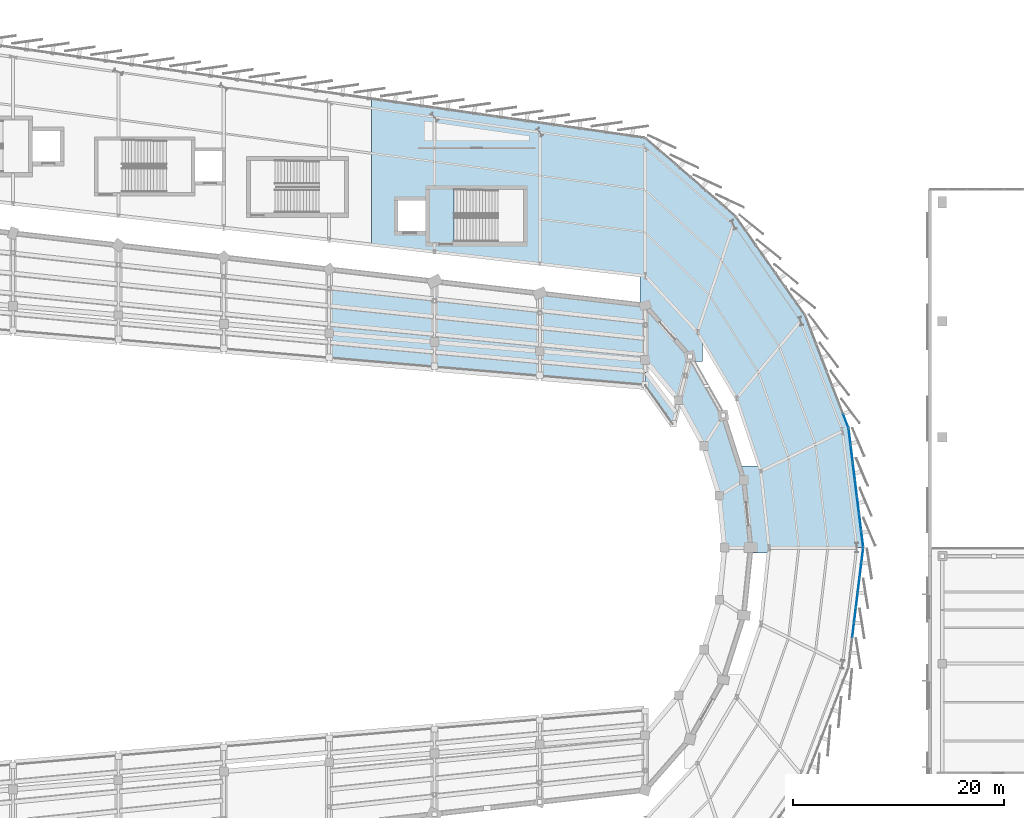
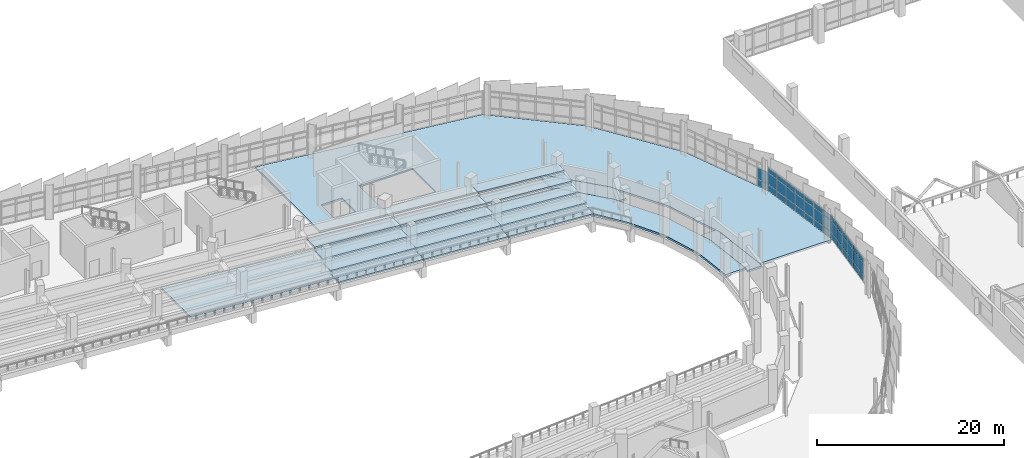
# One storey, part 90 of 120: 41 plates, 18 slabs, 3 elements without a shape of their own.
"""IFC4 building model written with IfcOpenShell, lengths in metres."""

from ifc_helpers import new_model, si_unit, direction, frame, origin, origin_2d, place, context, subcontext, project, spatial, polyline, rectangle, outline, extrude, material, layer, layer_set, type_object, element, aggregate, save


model = new_model("IFC4")

# Units and contexts
model_context = context("Model", 3, precision=1e-05, world=origin(), true_north=direction((0.0, 1.0)))
body_context = subcontext(model_context, "Body", "Model", "MODEL_VIEW")
ifc_project = project(units=[si_unit("LENGTHUNIT", "METRE"), si_unit("AREAUNIT", "SQUARE_METRE"), si_unit("VOLUMEUNIT", "CUBIC_METRE"), si_unit("PLANEANGLEUNIT", "RADIAN"), si_unit("MASSUNIT", "GRAM", prefix="KILO")], contexts=[model_context])

# Site, building, storey
site_placement = place(None, origin())
site = spatial("IfcSite", under=ifc_project, at=site_placement, CompositionType="ELEMENT")
building_placement = place(site_placement, origin())
building = spatial("IfcBuilding", under=site, at=building_placement, Name="Sohan Crest Arena", CompositionType="ELEMENT")
storey_placement = place(building_placement, frame((0.0, 0.0, 13.5)))
storey = spatial("IfcBuildingStorey", under=building, at=storey_placement, Name="L03", CompositionType="ELEMENT", Elevation=13.5)

# Curtain wall, plates
ifc_material_1 = material(Name="Thermally broken anodised aluminium", Category="aluminium")
ifc_layer_1 = layer(ifc_material_1, 0.179931640625, Name="Thermally broken anodised aluminium")
ifc_layer_set_1 = layer_set([ifc_layer_1], Name="Thermally broken anodised aluminium")
curtain_wall_type_1 = type_object("IfcCurtainWallType", Name="ARC-CW01", PredefinedType="NOTDEFINED", material=ifc_layer_set_1)
curtain_wall_1_placement = place(storey_placement, origin())
curtain_wall_1 = element("IfcCurtainWall", 1, at=curtain_wall_1_placement, inside=storey, type_object=curtain_wall_type_1, Name="Unitised curtain wall CW-102", PredefinedType="NOTDEFINED")
ifc_material_2 = material(Name="Low-E double-glazed insulated glass", Category="glass")
ifc_layer_2 = layer(ifc_material_2, 0.028076171875, Name="Low-E double-glazed insulated glass")
ifc_layer_set_2 = layer_set([ifc_layer_2], Name="Low-E double-glazed insulated glass")
plate_type_1 = type_object("IfcPlateType", Name="ARC-CNP01", PredefinedType="CURTAIN_PANEL", material=ifc_layer_set_2)
plate_1_placement = place(storey_placement, frame((187.044189453125, 90.035400390625, 0.06005859375), z_axis=(0.0, 0.0, 1.0), x_axis=(-0.35865103722, 0.93347171007, 0.0)))
plate_1 = element("IfcPlate", 2, at=plate_1_placement, type_object=plate_type_1, Name="CW-102 panel 1.1", PredefinedType="CURTAIN_PANEL", context=body_context, shape_type="SweptSolid", body=[
    extrude(rectangle(XDim=1.340087890625, YDim=0.028076171875, at=origin_2d()), origin(), (0.0, 0.0, 1.0), 0.81005859375),
])
plate_2_placement = place(storey_placement, frame((187.044189453125, 90.035400390625, 0.929931640625), z_axis=(0.0, 0.0, 1.0), x_axis=(-0.35865103722, 0.93347171007, 0.0)))
plate_2 = element("IfcPlate", 3, at=plate_2_placement, type_object=plate_type_1, Name="CW-102 panel 1.2", PredefinedType="CURTAIN_PANEL", context=body_context, shape_type="SweptSolid", body=[
    extrude(rectangle(XDim=1.340087890625, YDim=0.028076171875, at=origin_2d()), origin(), (0.0, 0.0, 1.0), 1.4599609375),
])
aggregate(curtain_wall_1, [plate_1, plate_2])

ifc_layer_3 = layer(ifc_material_1, 0.18994140625, Name="Thermally broken anodised aluminium")
ifc_layer_set_3 = layer_set([ifc_layer_3], Name="Thermally broken anodised aluminium")
curtain_wall_type_2 = type_object("IfcCurtainWallType", Name="ARC-CW05", PredefinedType="NOTDEFINED", material=ifc_layer_set_3)
curtain_wall_2_placement = place(storey_placement, origin())
curtain_wall_2 = element("IfcCurtainWall", 4, at=curtain_wall_2_placement, inside=storey, type_object=curtain_wall_type_2, Name="Unitised curtain wall CW-100", PredefinedType="NOTDEFINED")
ifc_material_3 = material(Name="Ceramic-fritted solar-control insulated glass", Category="glass")
ifc_layer_4 = layer(ifc_material_3, 0.035888671875, Name="Ceramic-fritted solar-control insulated glass")
ifc_layer_set_4 = layer_set([ifc_layer_4], Name="Ceramic-fritted solar-control insulated glass")
plate_type_2 = type_object("IfcPlateType", Name="ARC-CNP03", PredefinedType="CURTAIN_PANEL", material=ifc_layer_set_4)
plate_3_placement = place(storey_placement, frame((187.741943359375, 70.194091796875, 0.06494140625), z_axis=(0.0, 0.0, 1.0), x_axis=(0.121947202838, 0.992536588605, 0.0)))
plate_3 = element("IfcPlate", 5, at=plate_3_placement, type_object=plate_type_2, Name="CW-100 panel 3.1", PredefinedType="CURTAIN_PANEL", context=body_context, shape_type="SweptSolid", body=[
    extrude(rectangle(XDim=1.35986328125, YDim=0.035888671875, at=origin_2d()), origin(), (0.0, 0.0, 1.0), 0.802490234375),
])
plate_4_placement = place(storey_placement, frame((187.741943359375, 70.194091796875, 0.932373046875), z_axis=(0.0, 0.0, 1.0), x_axis=(0.121947202838, 0.992536588605, 0.0)))
plate_4 = element("IfcPlate", 6, at=plate_4_placement, type_object=plate_type_2, Name="CW-100 panel 3.2", PredefinedType="CURTAIN_PANEL", context=body_context, shape_type="SweptSolid", body=[
    extrude(rectangle(XDim=1.35986328125, YDim=0.035888671875, at=origin_2d()), origin(), (0.0, 0.0, 1.0), 1.455078125),
])
plate_5_placement = place(storey_placement, frame((187.741943359375, 70.194091796875, 2.452392578125), z_axis=(0.0, 0.0, 1.0), x_axis=(0.121947202838, 0.992536588605, 0.0)))
plate_5 = element("IfcPlate", 7, at=plate_5_placement, type_object=plate_type_2, Name="CW-100 panel 3.3", PredefinedType="CURTAIN_PANEL", context=body_context, shape_type="SweptSolid", body=[
    extrude(rectangle(XDim=1.35986328125, YDim=0.035888671875, at=origin_2d()), origin(), (0.0, 0.0, 1.0), 0.6025390625),
])
plate_6_placement = place(storey_placement, frame((187.916259765625, 71.61328125, 0.06494140625), z_axis=(0.0, 0.0, 1.0), x_axis=(0.121947202838, 0.992536588605, 0.0)))
plate_6 = element("IfcPlate", 8, at=plate_6_placement, type_object=plate_type_2, Name="CW-100 panel 4.1", PredefinedType="CURTAIN_PANEL", context=body_context, shape_type="SweptSolid", body=[
    extrude(rectangle(XDim=1.35986328125, YDim=0.035888671875, at=origin_2d()), origin(), (0.0, 0.0, 1.0), 0.802490234375),
])
plate_7_placement = place(storey_placement, frame((187.916259765625, 71.61328125, 0.932373046875), z_axis=(0.0, 0.0, 1.0), x_axis=(0.121947202838, 0.992536588605, 0.0)))
plate_7 = element("IfcPlate", 9, at=plate_7_placement, type_object=plate_type_2, Name="CW-100 panel 4.2", PredefinedType="CURTAIN_PANEL", context=body_context, shape_type="SweptSolid", body=[
    extrude(rectangle(XDim=1.35986328125, YDim=0.035888671875, at=origin_2d()), origin(), (0.0, 0.0, 1.0), 1.455078125),
])
plate_8_placement = place(storey_placement, frame((187.916259765625, 71.61328125, 2.452392578125), z_axis=(0.0, 0.0, 1.0), x_axis=(0.121947202838, 0.992536588605, 0.0)))
plate_8 = element("IfcPlate", 10, at=plate_8_placement, type_object=plate_type_2, Name="CW-100 panel 4.3", PredefinedType="CURTAIN_PANEL", context=body_context, shape_type="SweptSolid", body=[
    extrude(rectangle(XDim=1.35986328125, YDim=0.035888671875, at=origin_2d()), origin(), (0.0, 0.0, 1.0), 0.6025390625),
])
plate_9_placement = place(storey_placement, frame((188.090576171875, 73.03271484375, 0.06494140625), z_axis=(0.0, 0.0, 1.0), x_axis=(0.121947202838, 0.992536588605, 0.0)))
plate_9 = element("IfcPlate", 11, at=plate_9_placement, type_object=plate_type_2, Name="CW-100 panel 5.1", PredefinedType="CURTAIN_PANEL", context=body_context, shape_type="SweptSolid", body=[
    extrude(rectangle(XDim=1.35986328125, YDim=0.035888671875, at=origin_2d()), origin(), (0.0, 0.0, 1.0), 0.802490234375),
])
plate_10_placement = place(storey_placement, frame((188.090576171875, 73.03271484375, 0.932373046875), z_axis=(0.0, 0.0, 1.0), x_axis=(0.121947202838, 0.992536588605, 0.0)))
plate_10 = element("IfcPlate", 12, at=plate_10_placement, type_object=plate_type_2, Name="CW-100 panel 5.2", PredefinedType="CURTAIN_PANEL", context=body_context, shape_type="SweptSolid", body=[
    extrude(rectangle(XDim=1.35986328125, YDim=0.035888671875, at=origin_2d()), origin(), (0.0, 0.0, 1.0), 1.455078125),
])
plate_11_placement = place(storey_placement, frame((188.090576171875, 73.03271484375, 2.452392578125), z_axis=(0.0, 0.0, 1.0), x_axis=(0.121947202838, 0.992536588605, 0.0)))
plate_11 = element("IfcPlate", 13, at=plate_11_placement, type_object=plate_type_2, Name="CW-100 panel 5.3", PredefinedType="CURTAIN_PANEL", context=body_context, shape_type="SweptSolid", body=[
    extrude(rectangle(XDim=1.35986328125, YDim=0.035888671875, at=origin_2d()), origin(), (0.0, 0.0, 1.0), 0.6025390625),
])
plate_12_placement = place(storey_placement, frame((188.26513671875, 74.451904296875, 0.06494140625), z_axis=(0.0, 0.0, 1.0), x_axis=(0.121947202838, 0.992536588605, 0.0)))
plate_12 = element("IfcPlate", 14, at=plate_12_placement, type_object=plate_type_2, Name="CW-100 panel 6.1", PredefinedType="CURTAIN_PANEL", context=body_context, shape_type="SweptSolid", body=[
    extrude(rectangle(XDim=1.35986328125, YDim=0.035888671875, at=origin_2d()), origin(), (0.0, 0.0, 1.0), 0.802490234375),
])
plate_13_placement = place(storey_placement, frame((188.26513671875, 74.451904296875, 0.932373046875), z_axis=(0.0, 0.0, 1.0), x_axis=(0.121947202838, 0.992536588605, 0.0)))
plate_13 = element("IfcPlate", 15, at=plate_13_placement, type_object=plate_type_2, Name="CW-100 panel 6.2", PredefinedType="CURTAIN_PANEL", context=body_context, shape_type="SweptSolid", body=[
    extrude(rectangle(XDim=1.35986328125, YDim=0.035888671875, at=origin_2d()), origin(), (0.0, 0.0, 1.0), 1.455078125),
])
plate_14_placement = place(storey_placement, frame((188.26513671875, 74.451904296875, 2.452392578125), z_axis=(0.0, 0.0, 1.0), x_axis=(0.121947202838, 0.992536588605, 0.0)))
plate_14 = element("IfcPlate", 16, at=plate_14_placement, type_object=plate_type_2, Name="CW-100 panel 6.3", PredefinedType="CURTAIN_PANEL", context=body_context, shape_type="SweptSolid", body=[
    extrude(rectangle(XDim=1.35986328125, YDim=0.035888671875, at=origin_2d()), origin(), (0.0, 0.0, 1.0), 0.6025390625),
])
plate_15_placement = place(storey_placement, frame((188.439453125, 75.87109375, 0.06494140625), z_axis=(0.0, 0.0, 1.0), x_axis=(0.121947202838, 0.992536588605, 0.0)))
plate_15 = element("IfcPlate", 17, at=plate_15_placement, type_object=plate_type_2, Name="CW-100 panel 7.1", PredefinedType="CURTAIN_PANEL", context=body_context, shape_type="SweptSolid", body=[
    extrude(rectangle(XDim=1.35986328125, YDim=0.035888671875, at=origin_2d()), origin(), (0.0, 0.0, 1.0), 0.802490234375),
])
plate_16_placement = place(storey_placement, frame((188.439453125, 75.87109375, 0.932373046875), z_axis=(0.0, 0.0, 1.0), x_axis=(0.121947202838, 0.992536588605, 0.0)))
plate_16 = element("IfcPlate", 18, at=plate_16_placement, type_object=plate_type_2, Name="CW-100 panel 7.2", PredefinedType="CURTAIN_PANEL", context=body_context, shape_type="SweptSolid", body=[
    extrude(rectangle(XDim=1.35986328125, YDim=0.035888671875, at=origin_2d()), origin(), (0.0, 0.0, 1.0), 1.455078125),
])
plate_17_placement = place(storey_placement, frame((188.439453125, 75.87109375, 2.452392578125), z_axis=(0.0, 0.0, 1.0), x_axis=(0.121947202838, 0.992536588605, 0.0)))
plate_17 = element("IfcPlate", 19, at=plate_17_placement, type_object=plate_type_2, Name="CW-100 panel 7.3", PredefinedType="CURTAIN_PANEL", context=body_context, shape_type="SweptSolid", body=[
    extrude(rectangle(XDim=1.35986328125, YDim=0.035888671875, at=origin_2d()), origin(), (0.0, 0.0, 1.0), 0.6025390625),
])
plate_18_placement = place(storey_placement, frame((188.611572265625, 77.27294921875, 0.06494140625), z_axis=(0.0, 0.0, 1.0), x_axis=(0.121947202838, 0.992536588605, 0.0)))
plate_18 = element("IfcPlate", 20, at=plate_18_placement, type_object=plate_type_2, Name="CW-100 panel 8.1", PredefinedType="CURTAIN_PANEL", context=body_context, shape_type="SweptSolid", body=[
    extrude(rectangle(XDim=1.324951171875, YDim=0.035888671875, at=origin_2d()), origin(), (0.0, 0.0, 1.0), 0.802490234375),
])
plate_19_placement = place(storey_placement, frame((188.611572265625, 77.27294921875, 0.932373046875), z_axis=(0.0, 0.0, 1.0), x_axis=(0.121947202838, 0.992536588605, 0.0)))
plate_19 = element("IfcPlate", 21, at=plate_19_placement, type_object=plate_type_2, Name="CW-100 panel 8.2", PredefinedType="CURTAIN_PANEL", context=body_context, shape_type="SweptSolid", body=[
    extrude(rectangle(XDim=1.324951171875, YDim=0.035888671875, at=origin_2d()), origin(), (0.0, 0.0, 1.0), 1.455078125),
])
plate_20_placement = place(storey_placement, frame((188.611572265625, 77.27294921875, 2.452392578125), z_axis=(0.0, 0.0, 1.0), x_axis=(0.121947202838, 0.992536588605, 0.0)))
plate_20 = element("IfcPlate", 22, at=plate_20_placement, type_object=plate_type_2, Name="CW-100 panel 8.3", PredefinedType="CURTAIN_PANEL", context=body_context, shape_type="SweptSolid", body=[
    extrude(rectangle(XDim=1.324951171875, YDim=0.035888671875, at=origin_2d()), origin(), (0.0, 0.0, 1.0), 0.6025390625),
])
aggregate(curtain_wall_2, [plate_3, plate_4, plate_5, plate_6, plate_7, plate_8, plate_9, plate_10, plate_11, plate_12, plate_13, plate_14, plate_15, plate_16, plate_17, plate_18, plate_19, plate_20])

ifc_layer_5 = layer(ifc_material_1, 0.2099609375, Name="Thermally broken anodised aluminium")
ifc_layer_set_5 = layer_set([ifc_layer_5], Name="Thermally broken anodised aluminium")
curtain_wall_type_3 = type_object("IfcCurtainWallType", Name="ARC-CW06", PredefinedType="NOTDEFINED", material=ifc_layer_set_5)
curtain_wall_3_placement = place(storey_placement, origin())
curtain_wall_3 = element("IfcCurtainWall", 23, at=curtain_wall_3_placement, inside=storey, type_object=curtain_wall_type_3, Name="Unitised curtain wall CW-101", PredefinedType="NOTDEFINED")
ifc_material_4 = material(Name="Insulated polychrome ceramic spandrel panel", Category="masonry")
ifc_layer_6 = layer(ifc_material_4, 0.0419921875, Name="Insulated polychrome ceramic spandrel panel")
ifc_layer_set_6 = layer_set([ifc_layer_6], Name="Insulated polychrome ceramic spandrel panel")
plate_type_3 = type_object("IfcPlateType", Name="ARC-CNP04", PredefinedType="CURTAIN_PANEL", material=ifc_layer_set_6)
plate_21_placement = place(storey_placement, frame((188.59912109375, 78.82958984375, 0.070068359375), z_axis=(0.0, 0.0, 1.0), x_axis=(-0.121947202838, 0.992536588605, 0.0)))
plate_21 = element("IfcPlate", 24, at=plate_21_placement, type_object=plate_type_3, Name="CW-101 panel 1.1", PredefinedType="CURTAIN_PANEL", context=body_context, shape_type="SweptSolid", body=[
    extrude(rectangle(XDim=1.521728515625, YDim=0.0419921875, at=origin_2d()), origin(), (0.0, 0.0, 1.0), 0.794921875),
])
plate_22_placement = place(storey_placement, frame((188.59912109375, 78.82958984375, 0.93505859375), z_axis=(0.0, 0.0, 1.0), x_axis=(-0.121947202838, 0.992536588605, 0.0)))
plate_22 = element("IfcPlate", 25, at=plate_22_placement, type_object=plate_type_3, Name="CW-101 panel 1.2", PredefinedType="CURTAIN_PANEL", context=body_context, shape_type="SweptSolid", body=[
    extrude(rectangle(XDim=1.521728515625, YDim=0.0419921875, at=origin_2d()), origin(), (0.0, 0.0, 1.0), 1.449951171875),
])
plate_23_placement = place(storey_placement, frame((188.59912109375, 78.82958984375, 2.455078125), z_axis=(0.0, 0.0, 1.0), x_axis=(-0.121947202838, 0.992536588605, 0.0)))
plate_23 = element("IfcPlate", 26, at=plate_23_placement, type_object=plate_type_3, Name="CW-101 panel 1.3", PredefinedType="CURTAIN_PANEL", context=body_context, shape_type="SweptSolid", body=[
    extrude(rectangle(XDim=1.521728515625, YDim=0.0419921875, at=origin_2d()), origin(), (0.0, 0.0, 1.0), 0.594970703125),
])
plate_24_placement = place(storey_placement, frame((188.402099609375, 80.43310546875, 0.070068359375), z_axis=(0.0, 0.0, 1.0), x_axis=(-0.121947202838, 0.992536588605, 0.0)))
plate_24 = element("IfcPlate", 27, at=plate_24_placement, type_object=plate_type_3, Name="CW-101 panel 2.1", PredefinedType="CURTAIN_PANEL", context=body_context, shape_type="SweptSolid", body=[
    extrude(rectangle(XDim=1.55908203125, YDim=0.0419921875, at=origin_2d()), origin(), (0.0, 0.0, 1.0), 0.794921875),
])
plate_25_placement = place(storey_placement, frame((188.402099609375, 80.43310546875, 0.93505859375), z_axis=(0.0, 0.0, 1.0), x_axis=(-0.121947202838, 0.992536588605, 0.0)))
plate_25 = element("IfcPlate", 28, at=plate_25_placement, type_object=plate_type_3, Name="CW-101 panel 2.2", PredefinedType="CURTAIN_PANEL", context=body_context, shape_type="SweptSolid", body=[
    extrude(rectangle(XDim=1.55908203125, YDim=0.0419921875, at=origin_2d()), origin(), (0.0, 0.0, 1.0), 1.449951171875),
])
plate_26_placement = place(storey_placement, frame((188.402099609375, 80.43310546875, 2.455078125), z_axis=(0.0, 0.0, 1.0), x_axis=(-0.121947202838, 0.992536588605, 0.0)))
plate_26 = element("IfcPlate", 29, at=plate_26_placement, type_object=plate_type_3, Name="CW-101 panel 2.3", PredefinedType="CURTAIN_PANEL", context=body_context, shape_type="SweptSolid", body=[
    extrude(rectangle(XDim=1.55908203125, YDim=0.0419921875, at=origin_2d()), origin(), (0.0, 0.0, 1.0), 0.594970703125),
])
plate_27_placement = place(storey_placement, frame((188.202880859375, 82.054931640625, 0.070068359375), z_axis=(0.0, 0.0, 1.0), x_axis=(-0.121947202838, 0.992536588605, 0.0)))
plate_27 = element("IfcPlate", 30, at=plate_27_placement, type_object=plate_type_3, Name="CW-101 panel 3.1", PredefinedType="CURTAIN_PANEL", context=body_context, shape_type="SweptSolid", body=[
    extrude(rectangle(XDim=1.55908203125, YDim=0.0419921875, at=origin_2d()), origin(), (0.0, 0.0, 1.0), 0.794921875),
])
plate_28_placement = place(storey_placement, frame((188.202880859375, 82.054931640625, 0.93505859375), z_axis=(0.0, 0.0, 1.0), x_axis=(-0.121947202838, 0.992536588605, 0.0)))
plate_28 = element("IfcPlate", 31, at=plate_28_placement, type_object=plate_type_3, Name="CW-101 panel 3.2", PredefinedType="CURTAIN_PANEL", context=body_context, shape_type="SweptSolid", body=[
    extrude(rectangle(XDim=1.55908203125, YDim=0.0419921875, at=origin_2d()), origin(), (0.0, 0.0, 1.0), 1.449951171875),
])
plate_29_placement = place(storey_placement, frame((188.202880859375, 82.054931640625, 2.455078125), z_axis=(0.0, 0.0, 1.0), x_axis=(-0.121947202838, 0.992536588605, 0.0)))
plate_29 = element("IfcPlate", 32, at=plate_29_placement, type_object=plate_type_3, Name="CW-101 panel 3.3", PredefinedType="CURTAIN_PANEL", context=body_context, shape_type="SweptSolid", body=[
    extrude(rectangle(XDim=1.55908203125, YDim=0.0419921875, at=origin_2d()), origin(), (0.0, 0.0, 1.0), 0.594970703125),
])
plate_30_placement = place(storey_placement, frame((188.00341796875, 83.677001953125, 0.070068359375), z_axis=(0.0, 0.0, 1.0), x_axis=(-0.121947202838, 0.992536588605, 0.0)))
plate_30 = element("IfcPlate", 33, at=plate_30_placement, type_object=plate_type_3, Name="CW-101 panel 4.1", PredefinedType="CURTAIN_PANEL", context=body_context, shape_type="SweptSolid", body=[
    extrude(rectangle(XDim=1.55908203125, YDim=0.0419921875, at=origin_2d()), origin(), (0.0, 0.0, 1.0), 0.794921875),
])
plate_31_placement = place(storey_placement, frame((188.00341796875, 83.677001953125, 0.93505859375), z_axis=(0.0, 0.0, 1.0), x_axis=(-0.121947202838, 0.992536588605, 0.0)))
plate_31 = element("IfcPlate", 34, at=plate_31_placement, type_object=plate_type_3, Name="CW-101 panel 4.2", PredefinedType="CURTAIN_PANEL", context=body_context, shape_type="SweptSolid", body=[
    extrude(rectangle(XDim=1.55908203125, YDim=0.0419921875, at=origin_2d()), origin(), (0.0, 0.0, 1.0), 1.449951171875),
])
plate_32_placement = place(storey_placement, frame((188.00341796875, 83.677001953125, 2.455078125), z_axis=(0.0, 0.0, 1.0), x_axis=(-0.121947202838, 0.992536588605, 0.0)))
plate_32 = element("IfcPlate", 35, at=plate_32_placement, type_object=plate_type_3, Name="CW-101 panel 4.3", PredefinedType="CURTAIN_PANEL", context=body_context, shape_type="SweptSolid", body=[
    extrude(rectangle(XDim=1.55908203125, YDim=0.0419921875, at=origin_2d()), origin(), (0.0, 0.0, 1.0), 0.594970703125),
])
plate_33_placement = place(storey_placement, frame((187.80419921875, 85.299072265625, 0.070068359375), z_axis=(0.0, 0.0, 1.0), x_axis=(-0.121947202838, 0.992536588605, 0.0)))
plate_33 = element("IfcPlate", 36, at=plate_33_placement, type_object=plate_type_3, Name="CW-101 panel 5.1", PredefinedType="CURTAIN_PANEL", context=body_context, shape_type="SweptSolid", body=[
    extrude(rectangle(XDim=1.55908203125, YDim=0.0419921875, at=origin_2d()), origin(), (0.0, 0.0, 1.0), 0.794921875),
])
plate_34_placement = place(storey_placement, frame((187.80419921875, 85.299072265625, 0.93505859375), z_axis=(0.0, 0.0, 1.0), x_axis=(-0.121947202838, 0.992536588605, 0.0)))
plate_34 = element("IfcPlate", 37, at=plate_34_placement, type_object=plate_type_3, Name="CW-101 panel 5.2", PredefinedType="CURTAIN_PANEL", context=body_context, shape_type="SweptSolid", body=[
    extrude(rectangle(XDim=1.55908203125, YDim=0.0419921875, at=origin_2d()), origin(), (0.0, 0.0, 1.0), 1.449951171875),
])
plate_35_placement = place(storey_placement, frame((187.80419921875, 85.299072265625, 2.455078125), z_axis=(0.0, 0.0, 1.0), x_axis=(-0.121947202838, 0.992536588605, 0.0)))
plate_35 = element("IfcPlate", 38, at=plate_35_placement, type_object=plate_type_3, Name="CW-101 panel 5.3", PredefinedType="CURTAIN_PANEL", context=body_context, shape_type="SweptSolid", body=[
    extrude(rectangle(XDim=1.55908203125, YDim=0.0419921875, at=origin_2d()), origin(), (0.0, 0.0, 1.0), 0.594970703125),
])
plate_36_placement = place(storey_placement, frame((187.60498046875, 86.9208984375, 0.070068359375), z_axis=(0.0, 0.0, 1.0), x_axis=(-0.121947202838, 0.992536588605, 0.0)))
plate_36 = element("IfcPlate", 39, at=plate_36_placement, type_object=plate_type_3, Name="CW-101 panel 6.1", PredefinedType="CURTAIN_PANEL", context=body_context, shape_type="SweptSolid", body=[
    extrude(rectangle(XDim=1.55908203125, YDim=0.0419921875, at=origin_2d()), origin(), (0.0, 0.0, 1.0), 0.794921875),
])
plate_37_placement = place(storey_placement, frame((187.60498046875, 86.9208984375, 0.93505859375), z_axis=(0.0, 0.0, 1.0), x_axis=(-0.121947202838, 0.992536588605, 0.0)))
plate_37 = element("IfcPlate", 40, at=plate_37_placement, type_object=plate_type_3, Name="CW-101 panel 6.2", PredefinedType="CURTAIN_PANEL", context=body_context, shape_type="SweptSolid", body=[
    extrude(rectangle(XDim=1.55908203125, YDim=0.0419921875, at=origin_2d()), origin(), (0.0, 0.0, 1.0), 1.449951171875),
])
plate_38_placement = place(storey_placement, frame((187.60498046875, 86.9208984375, 2.455078125), z_axis=(0.0, 0.0, 1.0), x_axis=(-0.121947202838, 0.992536588605, 0.0)))
plate_38 = element("IfcPlate", 41, at=plate_38_placement, type_object=plate_type_3, Name="CW-101 panel 6.3", PredefinedType="CURTAIN_PANEL", context=body_context, shape_type="SweptSolid", body=[
    extrude(rectangle(XDim=1.55908203125, YDim=0.0419921875, at=origin_2d()), origin(), (0.0, 0.0, 1.0), 0.594970703125),
])
plate_39_placement = place(storey_placement, frame((187.407958984375, 88.5244140625, 0.070068359375), z_axis=(0.0, 0.0, 1.0), x_axis=(-0.121947202838, 0.992536588605, 0.0)))
plate_39 = element("IfcPlate", 42, at=plate_39_placement, type_object=plate_type_3, Name="CW-101 panel 7.1", PredefinedType="CURTAIN_PANEL", context=body_context, shape_type="SweptSolid", body=[
    extrude(rectangle(XDim=1.521728515625, YDim=0.0419921875, at=origin_2d()), origin(), (0.0, 0.0, 1.0), 0.794921875),
])
plate_40_placement = place(storey_placement, frame((187.407958984375, 88.5244140625, 0.93505859375), z_axis=(0.0, 0.0, 1.0), x_axis=(-0.121947202838, 0.992536588605, 0.0)))
plate_40 = element("IfcPlate", 43, at=plate_40_placement, type_object=plate_type_3, Name="CW-101 panel 7.2", PredefinedType="CURTAIN_PANEL", context=body_context, shape_type="SweptSolid", body=[
    extrude(rectangle(XDim=1.521728515625, YDim=0.0419921875, at=origin_2d()), origin(), (0.0, 0.0, 1.0), 1.449951171875),
])
plate_41_placement = place(storey_placement, frame((187.407958984375, 88.5244140625, 2.455078125), z_axis=(0.0, 0.0, 1.0), x_axis=(-0.121947202838, 0.992536588605, 0.0)))
plate_41 = element("IfcPlate", 44, at=plate_41_placement, type_object=plate_type_3, Name="CW-101 panel 7.3", PredefinedType="CURTAIN_PANEL", context=body_context, shape_type="SweptSolid", body=[
    extrude(rectangle(XDim=1.521728515625, YDim=0.0419921875, at=origin_2d()), origin(), (0.0, 0.0, 1.0), 0.594970703125),
])
aggregate(curtain_wall_3, [plate_21, plate_22, plate_23, plate_24, plate_25, plate_26, plate_27, plate_28, plate_29, plate_30, plate_31, plate_32, plate_33, plate_34, plate_35, plate_36, plate_37, plate_38, plate_39, plate_40, plate_41])

# Slabs
ifc_material_5 = material(Name="Concrete C40/50", Category="concrete")
ifc_layer_7 = layer(ifc_material_5, 0.25, Name="Concrete C40/50")
ifc_layer_set_7 = layer_set([ifc_layer_7], Name="Concrete C40/50")
slab_type_1 = type_object("IfcSlabType", Name="SL-FLR3", PredefinedType="FLOOR", material=ifc_layer_set_7)
slab_1_placement = place(storey_placement, frame((0.0, 0.0, -0.25)))
element("IfcSlab", 45, at=slab_1_placement, inside=storey, type_object=slab_type_1, Name="Bowl vomitory ring L03 Q2 SL-L03-V1Q2", PredefinedType="FLOOR", context=body_context, shape_type="SweptSolid", body=[
    extrude(outline(polyline([(122.0, 106.257080078125), (168.0, 101.0), (172.242919921875, 96.154052734375), (175.408935546875, 90.544921875), (177.363037109375, 84.406982421875), (178.02294921875, 78.0), (175.531982421875, 78.0), (175.037109375, 82.929931640625), (173.571044921875, 87.6640625), (171.194091796875, 92.011962890625), (168.0, 95.800048828125), (122.0, 99.742919921875), (122.0, 106.257080078125)])), origin(), (0.0, 0.0, 1.0), 0.25),
])
slab_2_placement = place(storey_placement, frame((0.0, 0.0, -0.25)))
element("IfcSlab", 46, at=slab_2_placement, inside=storey, type_object=slab_type_1, Name="Concourse ring L03 sector 5 SL-L03-V2S5", PredefinedType="FLOOR", context=body_context, shape_type="SweptSolid", body=[
    extrude(outline(polyline([(142.0, 120.614013671875), (168.0, 116.89990234375), (176.637939453125, 109.39990234375), (183.202880859375, 100.032958984375), (187.305908203125, 89.35400390625), (188.700927734375, 78.0), (179.75, 78.0), (178.971923828125, 85.251953125), (176.674072265625, 92.175048828125), (172.9609375, 98.452880859375), (168.0, 103.800048828125), (142.0, 106.77197265625), (142.0, 120.614013671875)]), holes=[polyline([(149.8701171875, 107.0), (156.449951171875, 107.0), (156.449951171875, 112.0), (149.8701171875, 112.0), (149.8701171875, 107.0)]), polyline([(144.550048828125, 110.949951171875), (144.550048828125, 108.050048828125), (147.14990234375, 108.050048828125), (147.14990234375, 110.949951171875), (144.550048828125, 110.949951171875)])]), origin(), (0.0, 0.0, 1.0), 0.25),
])
slab_3_placement = place(storey_placement, frame((0.0, 0.0, -0.25)))
element("IfcSlab", 47, at=slab_3_placement, inside=storey, type_object=slab_type_1, Name="Seismic joint threshold slab L03 SL-TH-L03-23", PredefinedType="FLOOR", context=body_context, shape_type="SweptSolid", body=[
    extrude(outline(polyline([(178.971923828125, 85.251953125), (179.75, 78.0), (179.696044921875, 77.5), (177.970947265625, 77.5), (178.02294921875, 78.0), (177.363037109375, 84.406982421875), (176.93505859375, 85.751953125), (178.805908203125, 85.751953125), (178.971923828125, 85.251953125)])), origin(), (0.0, 0.0, 1.0), 0.25),
])
slab_4_placement = place(storey_placement, frame((0.0, 0.0, -0.25)))
element("IfcSlab", 48, at=slab_4_placement, inside=storey, type_object=slab_type_1, Name="Seismic joint threshold slab L03 SL-TH-L03-26", PredefinedType="FLOOR", context=body_context, shape_type="SweptSolid", body=[
    extrude(outline(polyline([(168.0, 103.800048828125), (172.9609375, 98.452880859375), (173.4609375, 97.60791015625), (173.4609375, 95.654052734375), (172.52490234375, 95.654052734375), (172.242919921875, 96.154052734375), (168.0, 101.0), (167.5, 101.056884765625), (167.5, 103.85693359375), (168.0, 103.800048828125)])), origin(), (0.0, 0.0, 1.0), 0.25),
])
ifc_material_6 = material(Name="Precast concrete C50/60", Category="concrete")
ifc_layer_8 = layer(ifc_material_6, 0.205078125, Name="Precast concrete C50/60")
ifc_layer_set_8 = layer_set([ifc_layer_8], Name="Precast concrete C50/60")
slab_type_2 = type_object("IfcSlabType", Name="SL-TIER2", PredefinedType="USERDEFINED", material=ifc_layer_set_8)
slab_5_placement = place(storey_placement, frame((0.0, 0.0, 1.2109375)))
element("IfcSlab", 49, at=slab_5_placement, inside=storey, type_object=slab_type_2, Name="Upper cantilevered precast seating tier ST-UPP-195", ObjectType="SEATING TIER", PredefinedType="USERDEFINED", context=body_context, shape_type="SweptSolid", body=[
    extrude(outline(polyline([(170.64794921875, 89.486083984375), (168.0, 93.199951171875), (168.0, 94.697998046875), (170.9541015625, 90.76708984375), (170.64794921875, 89.486083984375)])), origin(), (0.0, 0.0, 1.0), 0.205078125),
])
slab_6_placement = place(storey_placement, frame((0.0, 0.0, 1.2109375)))
element("IfcSlab", 50, at=slab_6_placement, inside=storey, type_object=slab_type_2, Name="Upper cantilevered precast seating tier ST-UPP-201", ObjectType="SEATING TIER", PredefinedType="USERDEFINED", context=body_context, shape_type="SweptSolid", body=[
    extrude(outline(polyline([(168.0, 93.199951171875), (158.0, 94.056884765625), (158.0, 95.610107421875), (168.0, 94.697998046875), (168.0, 93.199951171875)])), origin(), (0.0, 0.0, 1.0), 0.205078125),
])
slab_7_placement = place(storey_placement, frame((0.0, 0.0, 1.6708984375)))
element("IfcSlab", 51, at=slab_7_placement, inside=storey, type_object=slab_type_2, Name="Upper cantilevered precast seating tier ST-UPP-202", ObjectType="SEATING TIER", PredefinedType="USERDEFINED", context=body_context, shape_type="SweptSolid", body=[
    extrude(outline(polyline([(168.0, 94.760009765625), (158.0, 95.674072265625), (158.0, 97.22705078125), (168.0, 96.258056640625), (168.0, 94.760009765625)])), origin(), (0.0, 0.0, 1.0), 0.205078125),
])
slab_8_placement = place(storey_placement, frame((0.0, 0.0, 1.2109375)))
element("IfcSlab", 52, at=slab_8_placement, inside=storey, type_object=slab_type_2, Name="Upper cantilevered precast seating tier ST-UPP-211", ObjectType="SEATING TIER", PredefinedType="USERDEFINED", context=body_context, shape_type="SweptSolid", body=[
    extrude(outline(polyline([(158.0, 94.056884765625), (148.0, 94.9140625), (148.0, 96.52099609375), (158.0, 95.610107421875), (158.0, 94.056884765625)])), origin(), (0.0, 0.0, 1.0), 0.205078125),
])
slab_9_placement = place(storey_placement, frame((0.0, 0.0, 1.6708984375)))
element("IfcSlab", 53, at=slab_9_placement, inside=storey, type_object=slab_type_2, Name="Upper cantilevered precast seating tier ST-UPP-212", ObjectType="SEATING TIER", PredefinedType="USERDEFINED", context=body_context, shape_type="SweptSolid", body=[
    extrude(outline(polyline([(158.0, 95.674072265625), (148.0, 96.587890625), (148.0, 98.196044921875), (158.0, 97.22705078125), (158.0, 95.674072265625)])), origin(), (0.0, 0.0, 1.0), 0.205078125),
])
slab_10_placement = place(storey_placement, frame((0.0, 0.0, 1.2109375)))
element("IfcSlab", 54, at=slab_10_placement, inside=storey, type_object=slab_type_2, Name="Upper cantilevered precast seating tier ST-UPP-221", ObjectType="SEATING TIER", PredefinedType="USERDEFINED", context=body_context, shape_type="SweptSolid", body=[
    extrude(outline(polyline([(148.0, 94.9140625), (138.0, 95.77099609375), (138.0, 97.43310546875), (148.0, 96.52099609375), (148.0, 94.9140625)])), origin(), (0.0, 0.0, 1.0), 0.205078125),
])
slab_11_placement = place(storey_placement, frame((0.0, 0.0, 1.6708984375)))
element("IfcSlab", 55, at=slab_11_placement, inside=storey, type_object=slab_type_2, Name="Upper cantilevered precast seating tier ST-UPP-222", ObjectType="SEATING TIER", PredefinedType="USERDEFINED", context=body_context, shape_type="SweptSolid", body=[
    extrude(outline(polyline([(148.0, 96.587890625), (138.0, 97.5029296875), (138.0, 99.1650390625), (148.0, 98.196044921875), (148.0, 96.587890625)])), origin(), (0.0, 0.0, 1.0), 0.205078125),
])
ifc_layer_9 = layer(ifc_material_6, 0.235107421875, Name="Precast concrete C50/60")
ifc_layer_set_9 = layer_set([ifc_layer_9], Name="Precast concrete C50/60")
slab_type_3 = type_object("IfcSlabType", Name="SL-TIER3", PredefinedType="USERDEFINED", material=ifc_layer_set_9)
slab_12_placement = place(storey_placement, frame((0.0, 0.0, 2.131103515625)))
element("IfcSlab", 56, at=slab_12_placement, inside=storey, type_object=slab_type_3, Name="Upper cantilevered precast seating tier ST-UPP-203", ObjectType="SEATING TIER", PredefinedType="USERDEFINED", context=body_context, shape_type="SweptSolid", body=[
    extrude(outline(polyline([(168.0, 96.320068359375), (158.0, 97.291015625), (158.0, 98.843994140625), (168.0, 97.818115234375), (168.0, 96.320068359375)])), origin(), (0.0, 0.0, 1.0), 0.23486328125),
])
slab_13_placement = place(storey_placement, frame((0.0, 0.0, 2.591064453125)))
element("IfcSlab", 57, at=slab_13_placement, inside=storey, type_object=slab_type_3, Name="Upper cantilevered precast seating tier ST-UPP-204", ObjectType="SEATING TIER", PredefinedType="USERDEFINED", context=body_context, shape_type="SweptSolid", body=[
    extrude(outline(polyline([(168.0, 97.8798828125), (158.0, 98.908935546875), (158.0, 100.4609375), (168.0, 99.3779296875), (168.0, 97.8798828125)])), origin(), (0.0, 0.0, 1.0), 0.23486328125),
])
slab_14_placement = place(storey_placement, frame((0.0, 0.0, 3.051025390625)))
element("IfcSlab", 58, at=slab_14_placement, inside=storey, type_object=slab_type_3, Name="Upper cantilevered precast seating tier ST-UPP-205", ObjectType="SEATING TIER", PredefinedType="USERDEFINED", context=body_context, shape_type="SweptSolid", body=[
    extrude(outline(polyline([(168.0, 99.43994140625), (158.0, 100.52587890625), (158.0, 102.077880859375), (168.0, 100.93798828125), (168.0, 99.43994140625)])), origin(), (0.0, 0.0, 1.0), 0.23486328125),
])
slab_15_placement = place(storey_placement, frame((0.0, 0.0, 2.131103515625)))
element("IfcSlab", 59, at=slab_15_placement, inside=storey, type_object=slab_type_3, Name="Upper cantilevered precast seating tier ST-UPP-213", ObjectType="SEATING TIER", PredefinedType="USERDEFINED", context=body_context, shape_type="SweptSolid", body=[
    extrude(outline(polyline([(158.0, 97.291015625), (148.0, 98.262939453125), (148.0, 99.8701171875), (158.0, 98.843994140625), (158.0, 97.291015625)])), origin(), (0.0, 0.0, 1.0), 0.23486328125),
])
slab_16_placement = place(storey_placement, frame((0.0, 0.0, 2.591064453125)))
element("IfcSlab", 60, at=slab_16_placement, inside=storey, type_object=slab_type_3, Name="Upper cantilevered precast seating tier ST-UPP-214", ObjectType="SEATING TIER", PredefinedType="USERDEFINED", context=body_context, shape_type="SweptSolid", body=[
    extrude(outline(polyline([(158.0, 98.908935546875), (148.0, 99.93701171875), (148.0, 101.544921875), (158.0, 100.4609375), (158.0, 98.908935546875)])), origin(), (0.0, 0.0, 1.0), 0.23486328125),
])
slab_17_placement = place(storey_placement, frame((0.0, 0.0, 2.131103515625)))
element("IfcSlab", 61, at=slab_17_placement, inside=storey, type_object=slab_type_3, Name="Upper cantilevered precast seating tier ST-UPP-223", ObjectType="SEATING TIER", PredefinedType="USERDEFINED", context=body_context, shape_type="SweptSolid", body=[
    extrude(outline(polyline([(148.0, 98.262939453125), (138.0, 99.23388671875), (138.0, 100.89697265625), (148.0, 99.8701171875), (148.0, 98.262939453125)])), origin(), (0.0, 0.0, 1.0), 0.23486328125),
])
slab_18_placement = place(storey_placement, frame((0.0, 0.0, 2.591064453125)))
element("IfcSlab", 62, at=slab_18_placement, inside=storey, type_object=slab_type_3, Name="Upper cantilevered precast seating tier ST-UPP-224", ObjectType="SEATING TIER", PredefinedType="USERDEFINED", context=body_context, shape_type="SweptSolid", body=[
    extrude(outline(polyline([(148.0, 99.93701171875), (138.0, 100.966064453125), (138.0, 102.6279296875), (148.0, 101.544921875), (148.0, 99.93701171875)])), origin(), (0.0, 0.0, 1.0), 0.23486328125),
])

save(model, "model.ifc")
